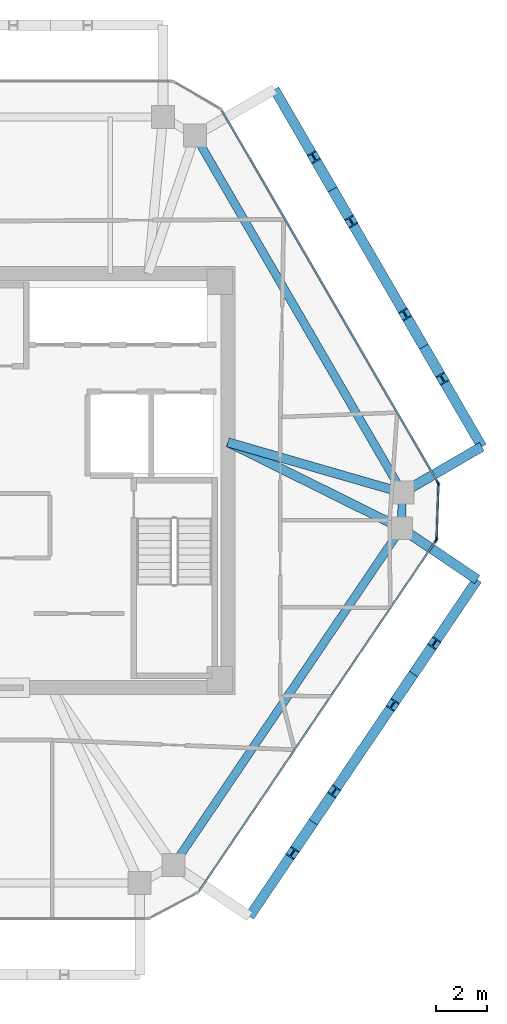
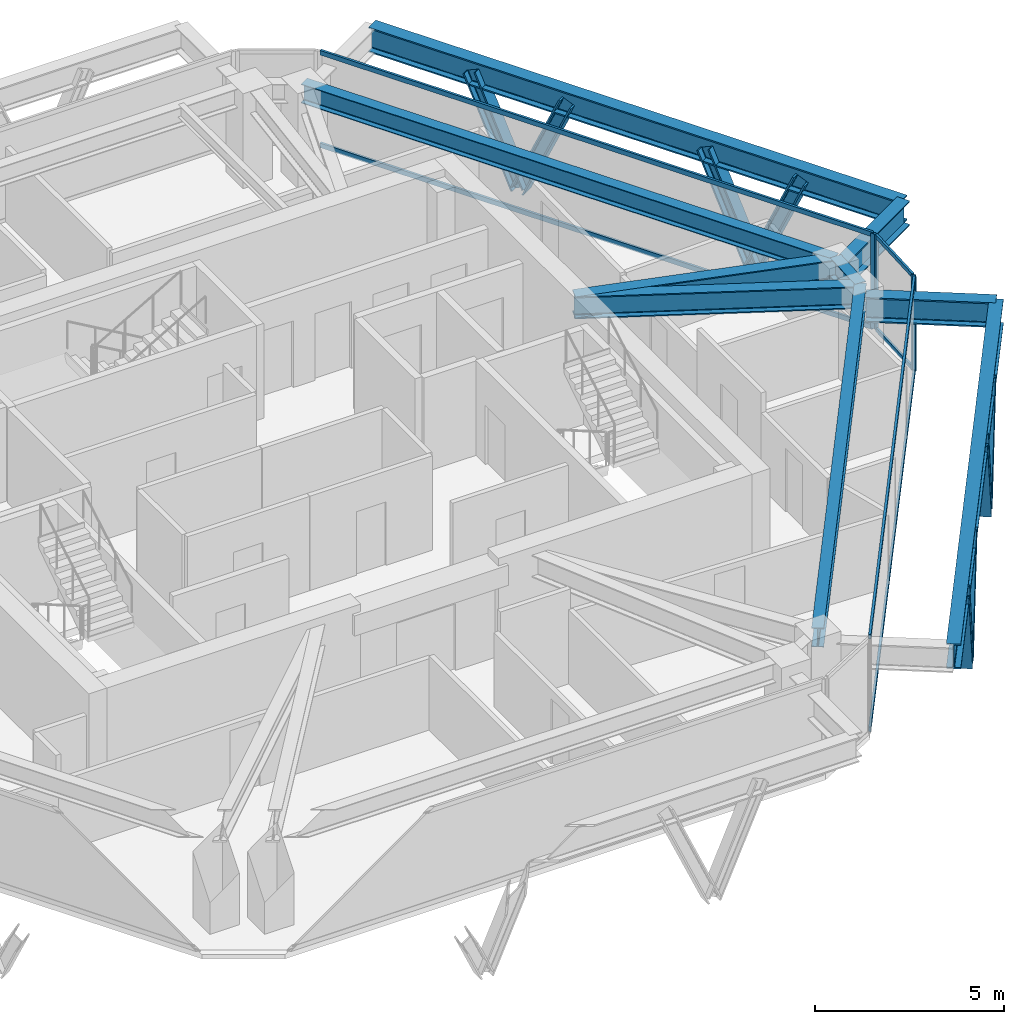
# One storey, part 5 of 11: 18 members, 9 beams, 3 elements without a shape of their own.
"""IFC4 building model written with IfcOpenShell, lengths in metres."""

from ifc_helpers import new_model, si_unit, direction, frame, origin, origin_2d, place, context, subcontext, project, spatial, rectangle, i_section, extrude, source, transform, mapped, material, layer, layer_set, material_profile, profile_set, type_object, type_shapes, element, aggregate, save


model = new_model("IFC4")

# Units and contexts
model_context = context("Model", 3, precision=1e-05, world=origin(), true_north=direction((0.0, 1.0)))
body_context = subcontext(model_context, "Body", "Model", "MODEL_VIEW")
ifc_project = project(units=[si_unit("LENGTHUNIT", "METRE"), si_unit("AREAUNIT", "SQUARE_METRE"), si_unit("VOLUMEUNIT", "CUBIC_METRE"), si_unit("PLANEANGLEUNIT", "RADIAN"), si_unit("MASSUNIT", "GRAM", prefix="KILO")], contexts=[model_context])

# Site, building, storey
site_placement = place(None, origin())
site = spatial("IfcSite", under=ifc_project, at=site_placement, CompositionType="ELEMENT")
building_placement = place(site_placement, origin())
building = spatial("IfcBuilding", under=site, at=building_placement, Name="Durnholm Broadcast Tower", CompositionType="ELEMENT")
storey_placement = place(building_placement, frame((0.0, 0.0, 224.89990234375)))
storey = spatial("IfcBuildingStorey", under=building, at=storey_placement, Name="L62", CompositionType="ELEMENT", Elevation=224.89990234375)

# Beams
ifc_material_1 = material(Name="Steel ASTM A992 Grade 50", Category="steel")
ifc_material_profile_1 = material_profile(ifc_material_1, i_section(OverallWidth=0.385009765625, OverallDepth=0.802978515625, WebThickness=0.023681640625, FlangeThickness=0.0419921875, FilletRadius=0.032958984375, at=origin_2d()), Name="W30X261")
ifc_profile_set_1 = profile_set([ifc_material_profile_1], Name="Steel ASTM A992 Grade 50")
beam_type_1 = type_object("IfcBeamType", Name="BM-EXO-TIE", PredefinedType="USERDEFINED", material=ifc_profile_set_1)
shared_shape_1 = source(origin(), body_context, "Body", "SweptSolid", [
    extrude(i_section(OverallWidth=0.385009765625, OverallDepth=0.802978515625, WebThickness=0.023681640625, FlangeThickness=0.0419921875, FilletRadius=0.032958984375, at=origin_2d()), origin(), (0.0, 0.0, 1.0), 3.4560546875),
])
beam_1_placement = place(storey_placement, frame((17.0947265625, -0.40380859375, 2.30859375), z_axis=(0.864924479231, 0.501902027518, 0.0), x_axis=(-0.501902027518, 0.864924479231, 0.0)))
element("IfcBeam", 1, at=beam_1_placement, inside=storey, type_object=beam_type_1, Name="L62 exoskeleton stand-off tie bracket F3.1", ObjectType="GIRDER", PredefinedType="USERDEFINED", context=body_context, shape_type="MappedRepresentation", body=[
    mapped(shared_shape_1, transform((0.0, 0.0, 0.0), x_axis=(1.0, 0.0, 0.0), y_axis=(0.0, 1.0, 0.0), z_axis=(0.0, 0.0, 1.0), scale=1.0)),
])
shared_shape_2 = source(origin(), body_context, "Body", "SweptSolid", [
    extrude(i_section(OverallWidth=0.385009765625, OverallDepth=0.802978515625, WebThickness=0.023681640625, FlangeThickness=0.0419921875, FilletRadius=0.032958984375, at=origin_2d()), origin(), (0.0, 0.0, 1.0), 3.455810546875),
])
beam_2_placement = place(storey_placement, frame((17.041748046875, -1.95068359375, 2.30859375), z_axis=(0.828446342252, -0.560068440469, 0.0), x_axis=(0.560068440469, 0.828446342252, 0.0)))
element("IfcBeam", 2, at=beam_2_placement, inside=storey, type_object=beam_type_1, Name="L62 exoskeleton stand-off tie bracket F2.2", ObjectType="GIRDER", PredefinedType="USERDEFINED", context=body_context, shape_type="MappedRepresentation", body=[
    mapped(shared_shape_2, transform((0.0, 0.0, 0.0), x_axis=(1.0, 0.0, 0.0), y_axis=(0.0, 1.0, 0.0), z_axis=(0.0, 0.0, 1.0), scale=1.0)),
])
ifc_material_profile_2 = material_profile(ifc_material_1, i_section(OverallWidth=0.3251953125, OverallDepth=0.6162109375, WebThickness=0.013916015625, FlangeThickness=0.021484375, FilletRadius=0.02783203125, at=origin_2d()), Name="W24X117")
ifc_profile_set_2 = profile_set([ifc_material_profile_2], Name="Steel ASTM A992 Grade 50")
beam_type_2 = type_object("IfcBeamType", Name="STL-SP-W24X117", PredefinedType="SPANDREL", material=ifc_profile_set_2)
shared_shape_3 = source(origin(), body_context, "Body", "SweptSolid", [
    extrude(i_section(OverallWidth=0.3251953125, OverallDepth=0.6162109375, WebThickness=0.013916015625, FlangeThickness=0.021484375, FilletRadius=0.02783203125, at=origin_2d()), origin(), (0.0, 0.0, 1.0), 1.39453125),
])
beam_3_placement = place(storey_placement, frame((16.97021484375, -0.47607421875, 2.737060546875), z_axis=(-0.034311541846, -0.999411185697, 0.0), x_axis=(0.999411185697, -0.034311541846, 0.0)))
element("IfcBeam", 3, at=beam_3_placement, inside=storey, type_object=beam_type_2, Name="L62 perimeter spandrel girder 08", PredefinedType="SPANDREL", context=body_context, shape_type="MappedRepresentation", body=[
    mapped(shared_shape_3, transform((0.0, 0.0, 0.0), x_axis=(1.0, 0.0, 0.0), y_axis=(0.0, 1.0, 0.0), z_axis=(0.0, 0.0, 1.0), scale=1.0)),
])
shared_shape_4 = source(origin(), body_context, "Body", "SweptSolid", [
    extrude(i_section(OverallWidth=0.3251953125, OverallDepth=0.6162109375, WebThickness=0.013916015625, FlangeThickness=0.021484375, FilletRadius=0.02783203125, at=origin_2d()), origin(), (0.0, 0.0, 1.0), 15.947265625),
])
beam_4_placement = place(storey_placement, frame((16.92236328125, -1.869873046875, 2.737060546875), z_axis=(-0.560062212489, -0.828450552623, 0.0), x_axis=(0.828450552623, -0.560062212489, 0.0)))
element("IfcBeam", 4, at=beam_4_placement, inside=storey, type_object=beam_type_2, Name="L62 perimeter spandrel girder 09", PredefinedType="SPANDREL", context=body_context, shape_type="MappedRepresentation", body=[
    mapped(shared_shape_4, transform((0.0, 0.0, 0.0), x_axis=(1.0, 0.0, 0.0), y_axis=(0.0, 1.0, 0.0), z_axis=(0.0, 0.0, 1.0), scale=1.0)),
])
shared_shape_5 = source(origin(), body_context, "Body", "SweptSolid", [
    extrude(i_section(OverallWidth=0.3251953125, OverallDepth=0.6162109375, WebThickness=0.013916015625, FlangeThickness=0.021484375, FilletRadius=0.02783203125, at=origin_2d()), origin(), (0.0, 0.0, 1.0), 16.20263671875),
])
type_shapes(beam_type_2, [shared_shape_3, shared_shape_4, shared_shape_5])
beam_5_placement = place(storey_placement, frame((8.83740234375, 13.53759765625, 2.737060546875), z_axis=(0.501943573333, -0.864900369516, 0.0), x_axis=(0.864900369516, 0.501943573333, 0.0)))
element("IfcBeam", 5, at=beam_5_placement, inside=storey, type_object=beam_type_2, Name="L62 perimeter spandrel girder 07", PredefinedType="SPANDREL", context=body_context, shape_type="MappedRepresentation", body=[
    mapped(shared_shape_5, transform((0.0, 0.0, 0.0), x_axis=(1.0, 0.0, 0.0), y_axis=(0.0, 1.0, 0.0), z_axis=(0.0, 0.0, 1.0), scale=1.0)),
])
shared_shape_6 = source(origin(), body_context, "Body", "SweptSolid", [
    extrude(i_section(OverallWidth=0.385009765625, OverallDepth=0.802978515625, WebThickness=0.023681640625, FlangeThickness=0.0419921875, FilletRadius=0.032958984375, at=origin_2d()), origin(), (0.0, 0.0, 1.0), 15.947021484375),
])
beam_6_placement = place(storey_placement, frame((10.973388671875, -17.097412109375, 2.30859375), z_axis=(0.560069315853, 0.828445750451, 0.0), x_axis=(-0.828445750451, 0.560069315853, 0.0)))
element("IfcBeam", 6, at=beam_6_placement, inside=storey, type_object=beam_type_1, Name="L62 exoskeleton collector spandrel F2", PredefinedType="SPANDREL", context=body_context, shape_type="MappedRepresentation", body=[
    mapped(shared_shape_6, transform((0.0, 0.0, 0.0), x_axis=(1.0, 0.0, 0.0), y_axis=(0.0, 1.0, 0.0), z_axis=(0.0, 0.0, 1.0), scale=1.0)),
])
shared_shape_7 = source(origin(), body_context, "Body", "SweptSolid", [
    extrude(i_section(OverallWidth=0.385009765625, OverallDepth=0.802978515625, WebThickness=0.023681640625, FlangeThickness=0.0419921875, FilletRadius=0.032958984375, at=origin_2d()), origin(), (0.0, 0.0, 1.0), 16.202880859375),
])
type_shapes(beam_type_1, [shared_shape_1, shared_shape_2, shared_shape_6, shared_shape_7])
beam_7_placement = place(storey_placement, frame((20.083984375, 1.330810546875, 2.30859375), z_axis=(-0.501948303381, 0.864897624423, 0.0), x_axis=(-0.864897624423, -0.501948303381, 0.0)))
element("IfcBeam", 7, at=beam_7_placement, inside=storey, type_object=beam_type_1, Name="L62 exoskeleton collector spandrel F3", PredefinedType="SPANDREL", context=body_context, shape_type="MappedRepresentation", body=[
    mapped(shared_shape_7, transform((0.0, 0.0, 0.0), x_axis=(1.0, 0.0, 0.0), y_axis=(0.0, 1.0, 0.0), z_axis=(0.0, 0.0, 1.0), scale=1.0)),
])
ifc_material_profile_3 = material_profile(ifc_material_1, i_section(OverallWidth=0.3564453125, OverallDepth=0.713623046875, WebThickness=0.01904296875, FlangeThickness=0.033935546875, FilletRadius=0.030517578125, at=origin_2d()), Name="W27X194")
ifc_profile_set_3 = profile_set([ifc_material_profile_3], Name="Steel ASTM A992 Grade 50")
beam_type_3 = type_object("IfcBeamType", Name="STL-GR-W27X194", PredefinedType="USERDEFINED", material=ifc_profile_set_3)
shared_shape_8 = source(origin(), body_context, "Body", "SweptSolid", [
    extrude(i_section(OverallWidth=0.3564453125, OverallDepth=0.713623046875, WebThickness=0.01904296875, FlangeThickness=0.033935546875, FilletRadius=0.030517578125, at=origin_2d()), origin(), (0.0, 0.0, 1.0), 7.124755859375),
])
beam_8_placement = place(storey_placement, frame((10.125, 1.5, 2.688232421875), z_axis=(0.960767767054, -0.277354101809, 0.0), x_axis=(0.277354101809, 0.960767767054, 0.0)))
element("IfcBeam", 8, at=beam_8_placement, inside=storey, type_object=beam_type_3, Name="L62 radial primary floor girder 08", ObjectType="GIRDER", PredefinedType="USERDEFINED", context=body_context, shape_type="MappedRepresentation", body=[
    mapped(shared_shape_8, transform((0.0, 0.0, 0.0), x_axis=(1.0, 0.0, 0.0), y_axis=(0.0, 1.0, 0.0), z_axis=(0.0, 0.0, 1.0), scale=1.0)),
])
shared_shape_9 = source(origin(), body_context, "Body", "SweptSolid", [
    extrude(i_section(OverallWidth=0.3564453125, OverallDepth=0.713623046875, WebThickness=0.01904296875, FlangeThickness=0.033935546875, FilletRadius=0.030517578125, at=origin_2d()), origin(), (0.0, 0.0, 1.0), 7.5869140625),
])
type_shapes(beam_type_3, [shared_shape_8, shared_shape_9])
beam_9_placement = place(storey_placement, frame((10.125, 1.5, 2.688232421875), z_axis=(0.895940903598, -0.444173273916, 0.0), x_axis=(0.444173273916, 0.895940903598, 0.0)))
element("IfcBeam", 9, at=beam_9_placement, inside=storey, type_object=beam_type_3, Name="L62 radial primary floor girder 09", ObjectType="GIRDER", PredefinedType="USERDEFINED", context=body_context, shape_type="MappedRepresentation", body=[
    mapped(shared_shape_9, transform((0.0, 0.0, 0.0), x_axis=(1.0, 0.0, 0.0), y_axis=(0.0, 1.0, 0.0), z_axis=(0.0, 0.0, 1.0), scale=1.0)),
])

# Members
ifc_material_2 = material(Name="Steel ASTM A913 Grade 65", Category="steel")
ifc_material_profile_4 = material_profile(ifc_material_2, i_section(OverallWidth=0.40625, OverallDepth=0.416015625, WebThickness=0.02978515625, FlangeThickness=0.048095703125, FilletRadius=0.030517578125, at=origin_2d()), Name="W14X257")
ifc_profile_set_4 = profile_set([ifc_material_profile_4], Name="Steel ASTM A913 Grade 65")
member_type_1 = type_object("IfcMemberType", Name="STL-DG-W14X257", PredefinedType="BRACE", material=ifc_profile_set_4)
shared_shape_10 = source(origin(), body_context, "Body", "SweptSolid", [
    extrude(i_section(OverallWidth=0.40625, OverallDepth=0.416015625, WebThickness=0.02978515625, FlangeThickness=0.048095703125, FilletRadius=0.030517578125, at=origin_2d()), origin(), (0.0, 0.0, 1.0), 3.60791015625),
])
type_shapes(member_type_1, [shared_shape_10])
for number, where, z_axis, x_axis, name in (
    (10, (13.47412109375, -13.398193359375, -0.991455078125), (-0.226349134478, -0.334888450383, 0.914667040579), (0.828505003222, -0.559981660089, 0.0), "L62 stand-off diagrid brace F2.D1.1"),
    (11, (13.47412109375, -13.398193359375, -0.991455078125), (0.226354263477, 0.334828369412, 0.914687766641), (-0.828452496411, 0.560059337206, 0.0), "L62 stand-off diagrid brace F2.D1.2"),
    (12, (17.404052734375, -7.585205078125, -0.991455078125), (-0.226349134478, -0.334888450383, 0.914667040579), (0.828505003222, -0.559981660089, 0.0), "L62 stand-off diagrid brace F2.D2.1"),
    (13, (17.404052734375, -7.585205078125, -0.991455078125), (0.226354263477, 0.334828369412, 0.914687766641), (-0.828452496411, 0.560059337206, 0.0), "L62 stand-off diagrid brace F2.D2.2"),
    (14, (17.806640625, 5.2548828125, -0.991455078125), (0.202871189729, -0.349577240207, 0.914679743685), (0.864906184135, 0.501933554014, 0.0), "L62 stand-off diagrid brace F3.D1.1"),
    (15, (17.806640625, 5.2548828125, -0.991455078125), (-0.202871189729, 0.349577240207, 0.914679743685), (-0.864906184135, -0.501933554014, 0.0), "L62 stand-off diagrid brace F3.D1.2"),
    (16, (14.228271484375, 11.4208984375, -0.991455078125), (0.202871189729, -0.349577240207, 0.914679743685), (0.864906184135, 0.501933554014, 0.0), "L62 stand-off diagrid brace F3.D2.1"),
    (17, (14.228271484375, 11.4208984375, -0.991455078125), (-0.202875988452, 0.349517838677, 0.914701379553), (-0.864863994925, -0.502006245263, 0.0), "L62 stand-off diagrid brace F3.D2.2"),
):
    element("IfcMember", number, at=place(storey_placement, frame(where, z_axis=z_axis, x_axis=x_axis)), inside=storey, type_object=member_type_1, Name=name, PredefinedType="BRACE", context=body_context, shape_type="MappedRepresentation", body=[
        mapped(shared_shape_10, transform((0.0, 0.0, 0.0), x_axis=(1.0, 0.0, 0.0), y_axis=(0.0, 1.0, 0.0), z_axis=(0.0, 0.0, 1.0), scale=1.0)),
    ])

# Curtain wall, members
ifc_material_3 = material(Name="Aluminium and Solar Control IGU", Category="aluminium")
ifc_layer_1 = layer(ifc_material_3, 0.1650390625)
ifc_layer_set_1 = layer_set([ifc_layer_1], Name="Aluminium and Solar Control IGU")
curtain_wall_type_1 = type_object("IfcCurtainWallType", Name="CW-SYS-5", PredefinedType="NOTDEFINED", material=ifc_layer_set_1)
curtain_wall_1_placement = place(storey_placement, origin())
curtain_wall_1 = element("IfcCurtainWall", 18, at=curtain_wall_1_placement, inside=storey, type_object=curtain_wall_type_1, Name="L62 curtain wall CW-CORNER CW-L62-CRN-07", PredefinedType="NOTDEFINED")
ifc_material_4 = material(Name="Aluminium 6063-T6", Category="aluminium")
ifc_material_profile_5 = material_profile(ifc_material_4, rectangle(XDim=0.06494140625, YDim=0.1298828125, at=origin_2d()), Name="CWT65X130")
ifc_profile_set_5 = profile_set([ifc_material_profile_5], Name="Aluminium 6063-T6")
member_type_2 = type_object("IfcMemberType", Name="CW-SYS-5-TRN", PredefinedType="USERDEFINED", material=ifc_profile_set_5)
shared_shape_11 = source(origin(), body_context, "Body", "SweptSolid", [
    extrude(rectangle(XDim=0.06494140625, YDim=0.1298828125, at=origin_2d()), origin(), (0.0, 0.0, 1.0), 2.06982421875),
])
type_shapes(member_type_2, [shared_shape_11])
member_1_placement = place(storey_placement, frame((18.381103515625, -0.186767578125, 0.03271484375), z_axis=(-0.034324150719, -0.999410752733, 0.0), x_axis=(0.999410752733, -0.034324150719, 0.0)))
member_1 = element("IfcMember", 19, at=member_1_placement, type_object=member_type_2, Name="CW-CORNER transom 1.1", ObjectType="TRANSOM", PredefinedType="USERDEFINED", context=body_context, shape_type="MappedRepresentation", body=[
    mapped(shared_shape_11, transform((0.0, 0.0, 0.0), x_axis=(1.0, 0.0, 0.0), y_axis=(0.0, 1.0, 0.0), z_axis=(0.0, 0.0, 1.0), scale=1.0)),
])
member_2_placement = place(storey_placement, frame((18.381103515625, -0.186767578125, 3.027587890625), z_axis=(-0.034324150719, -0.999410752733, 0.0), x_axis=(0.999410752733, -0.034324150719, 0.0)))
member_2 = element("IfcMember", 20, at=member_2_placement, type_object=member_type_2, Name="CW-CORNER transom 1.2", ObjectType="TRANSOM", PredefinedType="USERDEFINED", context=body_context, shape_type="MappedRepresentation", body=[
    mapped(shared_shape_11, transform((0.0, 0.0, 0.0), x_axis=(1.0, 0.0, 0.0), y_axis=(0.0, 1.0, 0.0), z_axis=(0.0, 0.0, 1.0), scale=1.0)),
])
ifc_material_profile_6 = material_profile(ifc_material_4, rectangle(XDim=0.06494140625, YDim=0.1650390625, at=origin_2d()), Name="CWM65X165")
ifc_profile_set_6 = profile_set([ifc_material_profile_6], Name="Aluminium 6063-T6")
member_type_3 = type_object("IfcMemberType", Name="CW-SYS-5-MUL", PredefinedType="MULLION", material=ifc_profile_set_6)
shared_shape_12 = source(origin(), body_context, "Body", "SweptSolid", [
    extrude(rectangle(XDim=0.06494140625, YDim=0.1650390625, at=origin_2d()), origin(), (0.0, 0.0, 1.0), 3.06005859375),
])
type_shapes(member_type_3, [shared_shape_12])
member_3_placement = place(storey_placement, frame((18.382080078125, -0.154296875, 0.0), z_axis=(0.0, 0.0, 1.0), x_axis=(0.999410955514, -0.034318245849, 0.0)))
member_3 = element("IfcMember", 21, at=member_3_placement, type_object=member_type_3, Name="CW-CORNER mullion 1", PredefinedType="MULLION", context=body_context, shape_type="MappedRepresentation", body=[
    mapped(shared_shape_12, transform((0.0, 0.0, 0.0), x_axis=(1.0, 0.0, 0.0), y_axis=(0.0, 1.0, 0.0), z_axis=(0.0, 0.0, 1.0), scale=1.0)),
])
member_4_placement = place(storey_placement, frame((18.308837890625, -2.287841796875, 0.0), z_axis=(0.0, 0.0, 1.0), x_axis=(0.999410955514, -0.034318245849, 0.0)))
member_4 = element("IfcMember", 22, at=member_4_placement, type_object=member_type_3, Name="CW-CORNER mullion 2", PredefinedType="MULLION", context=body_context, shape_type="MappedRepresentation", body=[
    mapped(shared_shape_12, transform((0.0, 0.0, 0.0), x_axis=(1.0, 0.0, 0.0), y_axis=(0.0, 1.0, 0.0), z_axis=(0.0, 0.0, 1.0), scale=1.0)),
])
aggregate(curtain_wall_1, [member_3, member_4, member_1, member_2])

# Curtain wall, member
ifc_layer_2 = layer(ifc_material_3, 0.18994140625)
ifc_layer_set_2 = layer_set([ifc_layer_2], Name="Aluminium and Solar Control IGU")
curtain_wall_type_2 = type_object("IfcCurtainWallType", Name="CW-SYS-4", PredefinedType="NOTDEFINED", material=ifc_layer_set_2)
curtain_wall_2_placement = place(storey_placement, origin())
curtain_wall_2 = element("IfcCurtainWall", 23, at=curtain_wall_2_placement, inside=storey, type_object=curtain_wall_type_2, Name="L62 curtain wall CW-Z34-VIS CW-L62-F06", PredefinedType="NOTDEFINED")
ifc_material_profile_7 = material_profile(ifc_material_4, rectangle(XDim=0.070068359375, YDim=0.18994140625, at=origin_2d()), Name="CWM70X190")
ifc_profile_set_7 = profile_set([ifc_material_profile_7], Name="Aluminium 6063-T6")
member_type_4 = type_object("IfcMemberType", Name="CW-SYS-4-MUL", PredefinedType="MULLION", material=ifc_profile_set_7)
shared_shape_13 = source(origin(), body_context, "Body", "SweptSolid", [
    extrude(rectangle(XDim=0.070068359375, YDim=0.18994140625, at=origin_2d()), origin(), (0.0, 0.0, 1.0), 3.06005859375),
])
type_shapes(member_type_4, [shared_shape_13])
member_5_placement = place(storey_placement, frame((18.36572265625, -0.09130859375, 0.0), z_axis=(0.0, 0.0, 1.0), x_axis=(0.864899883824, 0.50194441023, 0.0)))
member_5 = element("IfcMember", 24, at=member_5_placement, type_object=member_type_4, Name="CW-Z34-VIS mullion 2", PredefinedType="MULLION", context=body_context, shape_type="MappedRepresentation", body=[
    mapped(shared_shape_13, transform((0.0, 0.0, 0.0), x_axis=(1.0, 0.0, 0.0), y_axis=(0.0, 1.0, 0.0), z_axis=(0.0, 0.0, 1.0), scale=1.0)),
])

# Curtain wall, members
curtain_wall_3_placement = place(storey_placement, origin())
curtain_wall_3 = element("IfcCurtainWall", 25, at=curtain_wall_3_placement, inside=storey, type_object=curtain_wall_type_2, Name="L62 curtain wall CW-Z34-VIS CW-L62-F08", PredefinedType="NOTDEFINED")
member_6_placement = place(storey_placement, frame((18.2880859375, -2.349365234375, 0.0), z_axis=(0.0, 0.0, 1.0), x_axis=(0.828443431662, -0.560072745753, 0.0)))
member_6 = element("IfcMember", 26, at=member_6_placement, type_object=member_type_4, Name="CW-Z34-VIS mullion 1", PredefinedType="MULLION", context=body_context, shape_type="MappedRepresentation", body=[
    mapped(shared_shape_13, transform((0.0, 0.0, 0.0), x_axis=(1.0, 0.0, 0.0), y_axis=(0.0, 1.0, 0.0), z_axis=(0.0, 0.0, 1.0), scale=1.0)),
])
ifc_material_profile_8 = material_profile(ifc_material_4, rectangle(XDim=0.070068359375, YDim=0.14990234375, at=origin_2d()), Name="CWT70X150")
ifc_profile_set_8 = profile_set([ifc_material_profile_8], Name="Aluminium 6063-T6")
member_type_5 = type_object("IfcMemberType", Name="CW-SYS-4-TRN", PredefinedType="USERDEFINED", material=ifc_profile_set_8)
shared_shape_14 = source(origin(), body_context, "Body", "SweptSolid", [
    extrude(rectangle(XDim=0.070068359375, YDim=0.14990234375, at=origin_2d()), origin(), (0.0, 0.0, 1.0), 16.55859375),
])
member_7_placement = place(storey_placement, frame((18.2685546875, -2.37841796875, 0.03515625), z_axis=(-0.560071338091, -0.828444383317, 0.0), x_axis=(0.828444383317, -0.560071338091, 0.0)))
member_7 = element("IfcMember", 27, at=member_7_placement, type_object=member_type_5, Name="CW-Z34-VIS transom 1.1", ObjectType="TRANSOM", PredefinedType="USERDEFINED", context=body_context, shape_type="MappedRepresentation", body=[
    mapped(shared_shape_14, transform((0.0, 0.0, 0.0), x_axis=(1.0, 0.0, 0.0), y_axis=(0.0, 1.0, 0.0), z_axis=(0.0, 0.0, 1.0), scale=1.0)),
])
member_8_placement = place(storey_placement, frame((18.2685546875, -2.37841796875, 3.025146484375), z_axis=(-0.560071338091, -0.828444383317, 0.0), x_axis=(0.828444383317, -0.560071338091, 0.0)))
member_8 = element("IfcMember", 28, at=member_8_placement, type_object=member_type_5, Name="CW-Z34-VIS transom 1.2", ObjectType="TRANSOM", PredefinedType="USERDEFINED", context=body_context, shape_type="MappedRepresentation", body=[
    mapped(shared_shape_14, transform((0.0, 0.0, 0.0), x_axis=(1.0, 0.0, 0.0), y_axis=(0.0, 1.0, 0.0), z_axis=(0.0, 0.0, 1.0), scale=1.0)),
])
aggregate(curtain_wall_3, [member_6, member_7, member_8])

# Member
shared_shape_15 = source(origin(), body_context, "Body", "SweptSolid", [
    extrude(rectangle(XDim=0.070068359375, YDim=0.14990234375, at=origin_2d()), origin(), (0.0, 0.0, 1.0), 16.83984375),
])
type_shapes(member_type_5, [shared_shape_14, shared_shape_15])
member_9_placement = place(storey_placement, frame((9.8955078125, 14.503662109375, 0.03515625), z_axis=(0.501945239029, -0.86489940283, 0.0), x_axis=(0.86489940283, 0.501945239029, 0.0)))
member_9 = element("IfcMember", 29, at=member_9_placement, type_object=member_type_5, Name="CW-Z34-VIS transom 1.1", ObjectType="TRANSOM", PredefinedType="USERDEFINED", context=body_context, shape_type="MappedRepresentation", body=[
    mapped(shared_shape_15, transform((0.0, 0.0, 0.0), x_axis=(1.0, 0.0, 0.0), y_axis=(0.0, 1.0, 0.0), z_axis=(0.0, 0.0, 1.0), scale=1.0)),
])

member_10_placement = place(storey_placement, frame((9.8955078125, 14.503662109375, 3.025146484375), z_axis=(0.501945239029, -0.86489940283, 0.0), x_axis=(0.86489940283, 0.501945239029, 0.0)))
member_10 = element("IfcMember", 30, at=member_10_placement, type_object=member_type_5, Name="CW-Z34-VIS transom 1.2", ObjectType="TRANSOM", PredefinedType="USERDEFINED", context=body_context, shape_type="MappedRepresentation", body=[
    mapped(shared_shape_15, transform((0.0, 0.0, 0.0), x_axis=(1.0, 0.0, 0.0), y_axis=(0.0, 1.0, 0.0), z_axis=(0.0, 0.0, 1.0), scale=1.0)),
])

aggregate(curtain_wall_2, [member_5, member_9, member_10])

save(model, "model.ifc")
